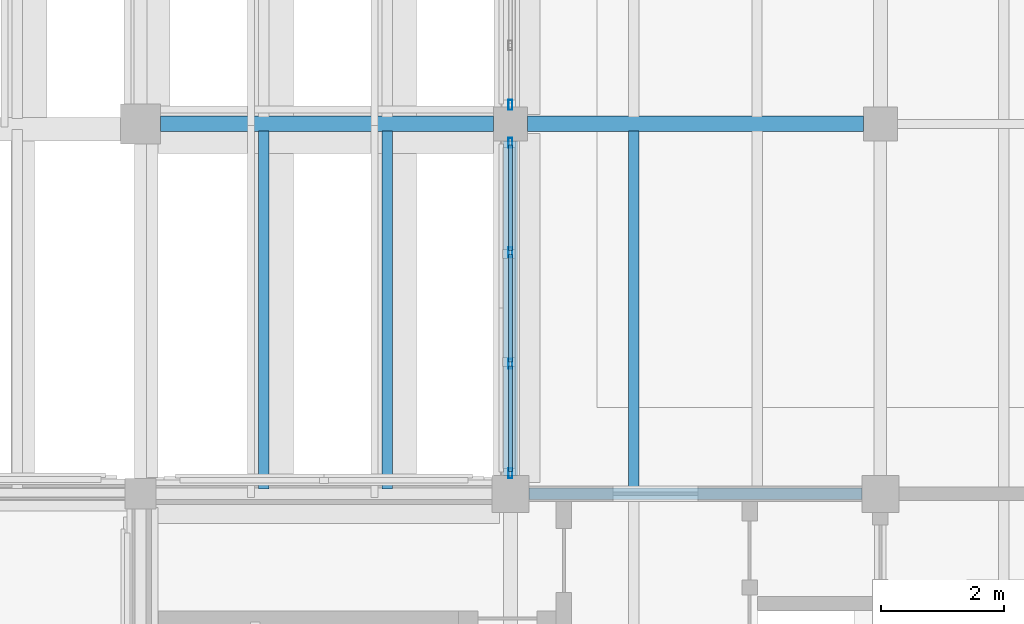
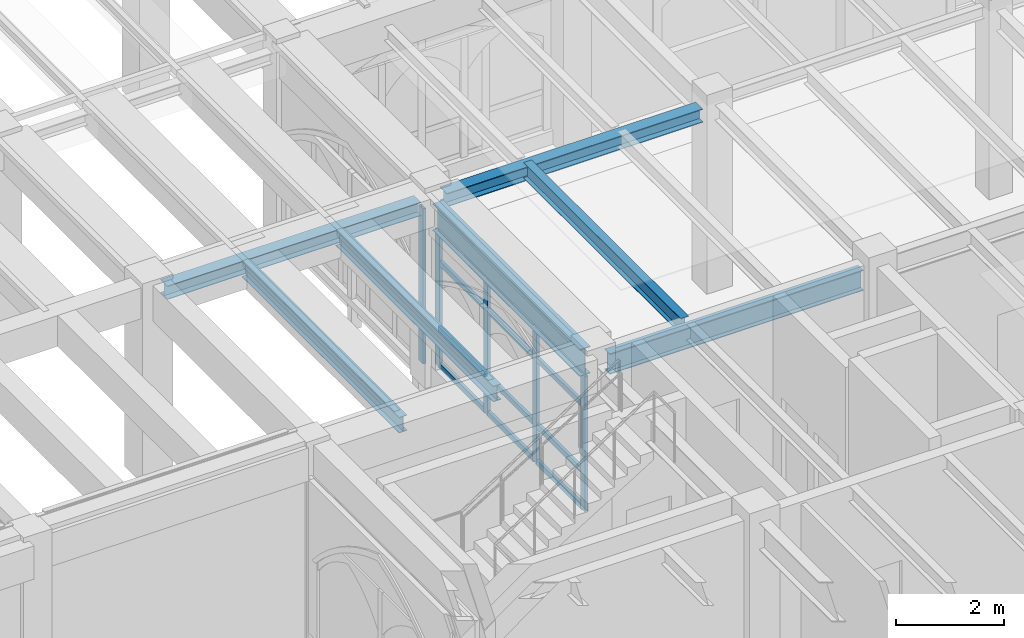
# One storey, part 31 of 127: 17 members, 7 beams, 2 elements without a shape of their own.
"""IFC4 building model written with IfcOpenShell, lengths in metres."""

import ifcopenshell
import ifcopenshell.guid

model = None  # the IFC model being written
_history = None  # IfcOwnerHistory: only IFC2X3 demands one
_inside = {}  # id of a spatial element -> (the spatial element, [elements in it])
_under = {}  # id of a project, library or spatial element -> (it, [spatial elements below it])
_declared = {}  # id of a project -> (the project, [libraries it declares])
_typed = {}  # id of a type object -> (the type object, [elements of that type])
_made_of = {}  # id of a material, layer set ... -> (it, [elements and type objects made of it])


def new_model(schema):
    """Start an empty IFC model of exactly this schema.

    Asked for "IFC4X3", IfcOpenShell would pick the latest addendum, in which some entities
    have other attributes; the version numbers below select the first issue.
    IFC2X3 requires an IfcOwnerHistory on every rooted entity: one is made here for all.
    """
    global model, _history
    if schema == "IFC4X3":
        model = ifcopenshell.file(schema_version=(4, 3, 0, 0))
    else:
        model = ifcopenshell.file(schema=schema)
    _inside.clear()
    _under.clear()
    _declared.clear()
    _typed.clear()
    _made_of.clear()
    _history = None
    if model.schema == "IFC2X3":
        org = make("IfcOrganization", Name="unknown")
        user = make(
            "IfcPersonAndOrganization",
            ThePerson=make("IfcPerson", FamilyName="unknown"),
            TheOrganization=org,
        )
        app = make(
            "IfcApplication",
            ApplicationDeveloper=org,
            Version="unknown",
            ApplicationFullName="unknown",
            ApplicationIdentifier="unknown",
        )
        _history = make(
            "IfcOwnerHistory",
            OwningUser=user,
            OwningApplication=app,
            ChangeAction="ADDED",
            CreationDate=0,
        )
    return model


def make(cls, **values):
    """One entity of the class cls with the attributes given. An attribute that is None is left unset."""
    return model.create_entity(
        cls, **{name: value for name, value in values.items() if value is not None}
    )


def rooted(cls, **values):
    """An entity with a GlobalId (a new one), such as an element, a storey or a relation."""
    return make(cls, GlobalId=ifcopenshell.guid.new(), OwnerHistory=_history, **values)


def si_unit(unit_type, name, prefix=None):
    """IfcSIUnit, for example si_unit("LENGTHUNIT", "METRE", prefix="MILLI")."""
    return make("IfcSIUnit", UnitType=unit_type, Prefix=prefix, Name=name)


def assignment(units):
    """IfcUnitAssignment: the units of a project."""
    return None if units is None else make("IfcUnitAssignment", Units=units)


def point(xyz):
    """IfcCartesianPoint."""
    return None if xyz is None else make("IfcCartesianPoint", Coordinates=xyz)


def direction(xyz):
    """IfcDirection."""
    return None if xyz is None else make("IfcDirection", DirectionRatios=xyz)


def frame(location, z_axis=None, x_axis=None):
    """IfcAxis2Placement3D, a coordinate frame: its origin and axes. An axis left out is left unset."""
    return make(
        "IfcAxis2Placement3D",
        Location=point(location),
        Axis=direction(z_axis),
        RefDirection=direction(x_axis),
    )


def frame_2d(location, x_axis=None):
    """IfcAxis2Placement2D, a coordinate frame in the plane: its origin and x axis."""
    return make(
        "IfcAxis2Placement2D", Location=point(location), RefDirection=direction(x_axis)
    )


def origin():
    """The frame at (0, 0, 0) with its axes left unset."""
    return frame((0.0, 0.0, 0.0))


def origin_2d():
    """The frame at (0, 0) in the plane with its x axis left unset."""
    return frame_2d((0.0, 0.0))


def place(relative_to, where):
    """IfcLocalPlacement: puts the frame where relative to a parent placement (None: the world)."""
    return make(
        "IfcLocalPlacement", PlacementRelTo=relative_to, RelativePlacement=where
    )


def context(
    kind, dimensions, precision=None, world=None, true_north=None, identifier=None
):
    """IfcGeometricRepresentationContext, for example the 3D "Model" context."""
    return make(
        "IfcGeometricRepresentationContext",
        ContextIdentifier=identifier,
        ContextType=kind,
        CoordinateSpaceDimension=dimensions,
        Precision=precision,
        WorldCoordinateSystem=world,
        TrueNorth=true_north,
    )


def subcontext(parent, identifier, kind, view, scale=None):
    """IfcGeometricRepresentationSubContext, for example "Body" below "Model"."""
    return make(
        "IfcGeometricRepresentationSubContext",
        ContextIdentifier=identifier,
        ContextType=kind,
        ParentContext=parent,
        TargetScale=scale,
        TargetView=view,
    )


def project(units=None, contexts=None):
    """IfcProject with its units and contexts."""
    return rooted(
        "IfcProject",
        Name="project",
        RepresentationContexts=contexts,
        UnitsInContext=assignment(units),
    )


def spatial(cls, under=None, at=None, **own):
    """A site, building, storey or space (cls), placed at a placement, below another one or the project."""
    s = rooted(cls, ObjectPlacement=at, **own)
    if under is not None:
        _under.setdefault(under.id(), (under, []))[1].append(s)
    return s


def profile(cls, at=None, kind="AREA", **sizes):
    """A parametric profile (cls). Its sizes go by their IFC names, for example OverallWidth=200.0."""
    return make(cls, ProfileType=kind, Position=at, **sizes)


def hollow_rectangle(**sizes):
    """IfcRectangleHollowProfileDef."""
    return profile("IfcRectangleHollowProfileDef", **sizes)


def i_section(**sizes):
    """IfcIShapeProfileDef."""
    return profile("IfcIShapeProfileDef", **sizes)


def extrude(swept, where, along, depth):
    """IfcExtrudedAreaSolid: the profile swept, set in the frame where, extruded along a direction by depth."""
    return make(
        "IfcExtrudedAreaSolid",
        SweptArea=swept,
        Position=where,
        ExtrudedDirection=direction(along),
        Depth=depth,
    )


def shape(context_of_items, identifier, shape_type, items):
    """IfcShapeRepresentation: the items that make up one representation, for example the "Body"."""
    return make(
        "IfcShapeRepresentation",
        ContextOfItems=context_of_items,
        RepresentationIdentifier=identifier,
        RepresentationType=shape_type,
        Items=items,
    )


def material(Name=None, Category=None):
    """IfcMaterial."""
    return make("IfcMaterial", Name=Name, Category=Category)


def layer(
    of_material, thickness, ventilated=None, Name=None, Category=None, Priority=None
):
    """IfcMaterialLayer: one layer of a wall or slab, of a material (None: an air gap)."""
    return make(
        "IfcMaterialLayer",
        Material=of_material,
        LayerThickness=thickness,
        IsVentilated=ventilated,
        Name=Name,
        Category=Category,
        Priority=Priority,
    )


def layer_set(layers, Name=None):
    """IfcMaterialLayerSet."""
    return make("IfcMaterialLayerSet", MaterialLayers=layers, LayerSetName=Name)


def material_profile(
    of_material, cross_section, Name=None, Category=None, Priority=None
):
    """IfcMaterialProfile: a cross section and its material."""
    return make(
        "IfcMaterialProfile",
        Name=Name,
        Material=of_material,
        Profile=cross_section,
        Priority=Priority,
        Category=Category,
    )


def profile_set(profiles, Name=None, composite=None):
    """IfcMaterialProfileSet."""
    return make(
        "IfcMaterialProfileSet",
        Name=Name,
        MaterialProfiles=profiles,
        CompositeProfile=composite,
    )


def made_of(thing, what):
    """Note that an element or type object is made of a material, layer set ...; save() writes the relation."""
    if what is not None:
        _made_of.setdefault(what.id(), (what, []))[1].append(thing)
    return thing


def type_object(cls, material=None, **own):
    """A type object (cls), such as IfcWallType, which elements share."""
    return made_of(rooted(cls, **own), material)


def element(
    cls,
    number,
    at=None,
    inside=None,
    cuts=None,
    type_object=None,
    material=None,
    context=None,
    identifier="Body",
    shape_type=None,
    held_by="IfcProductDefinitionShape",
    body=None,
    shapes=None,
    **own,
):
    """One element of the class cls, such as IfcWall. Its Tag is "e" and its number.

    at: its placement. inside: the storey or other place that contains it. cuts: it is an
    opening in that element (IfcRelVoidsElement). A single representation is given by context,
    identifier, shape_type and body (its items); several are given by shapes. held_by: the class
    of the entity that holds the representations. save() writes the other relations.
    """
    e = rooted(cls, Tag="e%d" % number, ObjectPlacement=at, **own)
    if body is not None:
        shapes = [shape(context, identifier, shape_type, body)]
    if shapes is not None:
        e.Representation = make(held_by, Representations=shapes)
    if inside is not None:
        _inside.setdefault(inside.id(), (inside, []))[1].append(e)
    if cuts is not None:
        rooted(
            "IfcRelVoidsElement", RelatingBuildingElement=cuts, RelatedOpeningElement=e
        )
    if type_object is not None:
        _typed.setdefault(type_object.id(), (type_object, []))[1].append(e)
    return made_of(e, material)


def aggregate(whole, parts):
    """IfcRelAggregates: a whole, such as a stair, and the parts it consists of."""
    return rooted("IfcRelAggregates", RelatingObject=whole, RelatedObjects=parts)


def save(model, path):
    """Write the relations noted so far, then the file.

    IfcRelAggregates (storeys below a building ...), IfcRelContainedInSpatialStructure (elements
    in a storey), IfcRelDefinesByType, IfcRelAssociatesMaterial and IfcRelDeclares: one each for
    every whole, place, type object, material and project.
    """
    for whole, parts in _under.values():
        aggregate(whole, parts)
    for where, things in _inside.values():
        rooted(
            "IfcRelContainedInSpatialStructure",
            RelatedElements=things,
            RelatingStructure=where,
        )
    for kind, things in _typed.values():
        rooted("IfcRelDefinesByType", RelatedObjects=things, RelatingType=kind)
    for what, things in _made_of.values():
        rooted("IfcRelAssociatesMaterial", RelatedObjects=things, RelatingMaterial=what)
    for by, libraries in _declared.values():
        rooted("IfcRelDeclares", RelatingContext=by, RelatedDefinitions=libraries)
    model.write(path)


model = new_model("IFC4")

# Units and contexts
model_context = context("Model", 3, precision=1e-05, world=origin(), true_north=direction((0.0, 1.0)))
body_context = subcontext(model_context, "Body", "Model", "MODEL_VIEW")
ifc_project = project(units=[si_unit("LENGTHUNIT", "METRE"), si_unit("AREAUNIT", "SQUARE_METRE"), si_unit("VOLUMEUNIT", "CUBIC_METRE"), si_unit("PLANEANGLEUNIT", "RADIAN"), si_unit("MASSUNIT", "GRAM", prefix="KILO")], contexts=[model_context])

# Site, building, storey
site_placement = place(None, origin())
site = spatial("IfcSite", under=ifc_project, at=site_placement, CompositionType="ELEMENT")
building_placement = place(site_placement, origin())
building = spatial("IfcBuilding", under=site, at=building_placement, Name="Cumevento Cable Car Station", CompositionType="ELEMENT")
storey_placement = place(building_placement, frame((0.0, 0.0, 4.5)))
storey = spatial("IfcBuildingStorey", under=building, at=storey_placement, Name="L02", CompositionType="ELEMENT", Elevation=4.5)

# Curtain wall, members
ifc_material_1 = material(Name="Anodised Bronze Aluminium AW-6063-T6", Category="aluminium")
ifc_layer_1 = layer(ifc_material_1, 0.243896484375)
ifc_layer_set_1 = layer_set([ifc_layer_1], Name="Anodised Bronze Aluminium AW-6063-T6")
curtain_wall_type_1 = type_object("IfcCurtainWallType", Name="Lancet Curtain Wall CW-15 1610", PredefinedType="NOTDEFINED", material=ifc_layer_set_1)
curtain_wall_1_placement = place(storey_placement, origin())
curtain_wall_1 = element("IfcCurtainWall", 1, at=curtain_wall_1_placement, inside=storey, type_object=curtain_wall_type_1, Name="Lancet Curtain Wall CW-15 L02 #62", PredefinedType="NOTDEFINED")
ifc_material_2 = material(Name="Anodised Bronze Aluminium AW-6063-T6", Category="aluminium")
ifc_material_profile_1 = material_profile(ifc_material_2, hollow_rectangle(XDim=0.06494140625, YDim=0.159912109375, WallThickness=0.00390625, at=origin_2d()), Name="ALUM65x160x4")
ifc_profile_set_1 = profile_set([ifc_material_profile_1], Name="Anodised Bronze Aluminium AW-6063-T6")
member_type_1 = type_object("IfcMemberType", Name="Curtain Mullion CWM-01 ALUM65x160x4", PredefinedType="MULLION", material=ifc_profile_set_1)
member_1_placement = place(storey_placement, frame((64.0, 45.33251953125, 0.4599609375), z_axis=(0.0, 0.0, 1.0), x_axis=(-1.0, 0.0, 0.0)))
member_1 = element("IfcMember", 2, at=member_1_placement, type_object=member_type_1, Name="CW-15 mullion 1", PredefinedType="MULLION", context=body_context, shape_type="SweptSolid", body=[
    extrude(hollow_rectangle(XDim=0.06494140625, YDim=0.159912109375, WallThickness=0.00390625, at=origin_2d()), origin(), (0.0, 0.0, 1.0), 3.0419921875),
])
member_2_placement = place(storey_placement, frame((64.0, 47.1083984375, 0.4599609375), z_axis=(0.0, 0.0, 1.0), x_axis=(-1.0, 0.0, 0.0)))
member_2 = element("IfcMember", 3, at=member_2_placement, type_object=member_type_1, Name="CW-15 mullion 2", PredefinedType="MULLION", context=body_context, shape_type="SweptSolid", body=[
    extrude(hollow_rectangle(XDim=0.06494140625, YDim=0.159912109375, WallThickness=0.00390625, at=origin_2d()), origin(), (0.0, 0.0, 1.0), 3.0419921875),
])
member_3_placement = place(storey_placement, frame((64.0, 48.916748046875, 0.4599609375), z_axis=(0.0, 0.0, 1.0), x_axis=(-1.0, 0.0, 0.0)))
member_3 = element("IfcMember", 4, at=member_3_placement, type_object=member_type_1, Name="CW-15 mullion 3", PredefinedType="MULLION", context=body_context, shape_type="SweptSolid", body=[
    extrude(hollow_rectangle(XDim=0.06494140625, YDim=0.159912109375, WallThickness=0.00390625, at=origin_2d()), origin(), (0.0, 0.0, 1.0), 3.0419921875),
])
member_4_placement = place(storey_placement, frame((64.0, 50.6923828125, 0.4599609375), z_axis=(0.0, 0.0, 1.0), x_axis=(-1.0, 0.0, 0.0)))
member_4 = element("IfcMember", 5, at=member_4_placement, type_object=member_type_1, Name="CW-15 mullion 4", PredefinedType="MULLION", context=body_context, shape_type="SweptSolid", body=[
    extrude(hollow_rectangle(XDim=0.06494140625, YDim=0.159912109375, WallThickness=0.00390625, at=origin_2d()), origin(), (0.0, 0.0, 1.0), 3.0419921875),
])

# Curtain wall, member
ifc_material_3 = material(Name="Anodised Bronze Aluminium AW-6063-T6", Category="aluminium")
ifc_layer_2 = layer(ifc_material_3, 0.159912109375)
ifc_layer_set_2 = layer_set([ifc_layer_2], Name="Anodised Bronze Aluminium AW-6063-T6")
curtain_wall_type_2 = type_object("IfcCurtainWallType", Name="Lancet Curtain Wall CW-01 1050", PredefinedType="NOTDEFINED", material=ifc_layer_set_2)
curtain_wall_2_placement = place(storey_placement, origin())
curtain_wall_2 = element("IfcCurtainWall", 6, at=curtain_wall_2_placement, inside=storey, type_object=curtain_wall_type_2, Name="Lancet Curtain Wall CW-01 L02 #64", PredefinedType="NOTDEFINED")
member_5_placement = place(storey_placement, frame((64.0, 51.3076171875, 0.159912109375), z_axis=(0.0, 0.0, 1.0), x_axis=(-1.0, 0.0, 0.0)))
member_5 = element("IfcMember", 7, at=member_5_placement, type_object=member_type_1, Name="CW-01 mullion 1", PredefinedType="MULLION", context=body_context, shape_type="SweptSolid", body=[
    extrude(hollow_rectangle(XDim=0.06494140625, YDim=0.159912109375, WallThickness=0.00390625, at=origin_2d()), origin(), (0.0, 0.0, 1.0), 3.4931640625),
])
aggregate(curtain_wall_2, [member_5])

# Member
ifc_material_4 = material(Name="Anodised Bronze Aluminium AW-6063-T6", Category="aluminium")
ifc_material_profile_2 = material_profile(ifc_material_4, hollow_rectangle(XDim=0.06494140625, YDim=0.1201171875, WallThickness=0.00390625, at=origin_2d()), Name="ALUT65x120x4")
ifc_profile_set_2 = profile_set([ifc_material_profile_2], Name="Anodised Bronze Aluminium AW-6063-T6")
member_type_2 = type_object("IfcMemberType", Name="Curtain Transom CWT-01 ALUT65x120x4", PredefinedType="USERDEFINED", material=ifc_profile_set_2)
member_6_placement = place(storey_placement, frame((64.0, 45.364990234375, 0.492431640625), z_axis=(0.0, 1.0, 0.0), x_axis=(-1.0, 0.0, 0.0)))
member_6 = element("IfcMember", 8, at=member_6_placement, type_object=member_type_2, Name="CW-15 transom 1.1", ObjectType="TRANSOM", PredefinedType="USERDEFINED", context=body_context, shape_type="SweptSolid", body=[
    extrude(hollow_rectangle(XDim=0.06494140625, YDim=0.1201171875, WallThickness=0.00390625, at=origin_2d()), origin(), (0.0, 0.0, 1.0), 1.7109375),
])

member_7_placement = place(storey_placement, frame((64.0, 45.364990234375, 1.31005859375), z_axis=(0.0, 1.0, 0.0), x_axis=(-1.0, 0.0, 0.0)))
member_7 = element("IfcMember", 9, at=member_7_placement, type_object=member_type_2, Name="CW-15 transom 1.2", ObjectType="TRANSOM", PredefinedType="USERDEFINED", context=body_context, shape_type="SweptSolid", body=[
    extrude(hollow_rectangle(XDim=0.06494140625, YDim=0.1201171875, WallThickness=0.00390625, at=origin_2d()), origin(), (0.0, 0.0, 1.0), 1.7109375),
])

member_8_placement = place(storey_placement, frame((64.0, 45.364990234375, 2.802001953125), z_axis=(0.0, 1.0, 0.0), x_axis=(-1.0, 0.0, 0.0)))
member_8 = element("IfcMember", 10, at=member_8_placement, type_object=member_type_2, Name="CW-15 transom 1.3", ObjectType="TRANSOM", PredefinedType="USERDEFINED", context=body_context, shape_type="SweptSolid", body=[
    extrude(hollow_rectangle(XDim=0.06494140625, YDim=0.1201171875, WallThickness=0.00390625, at=origin_2d()), origin(), (0.0, 0.0, 1.0), 1.7109375),
])

member_9_placement = place(storey_placement, frame((64.0, 45.364990234375, 3.469482421875), z_axis=(0.0, 1.0, 0.0), x_axis=(-1.0, 0.0, 0.0)))
member_9 = element("IfcMember", 11, at=member_9_placement, type_object=member_type_2, Name="CW-15 transom 1.4", ObjectType="TRANSOM", PredefinedType="USERDEFINED", context=body_context, shape_type="SweptSolid", body=[
    extrude(hollow_rectangle(XDim=0.06494140625, YDim=0.1201171875, WallThickness=0.00390625, at=origin_2d()), origin(), (0.0, 0.0, 1.0), 1.7109375),
])

member_10_placement = place(storey_placement, frame((64.0, 47.140869140625, 0.492431640625), z_axis=(0.0, 1.0, 0.0), x_axis=(-1.0, 0.0, 0.0)))
member_10 = element("IfcMember", 12, at=member_10_placement, type_object=member_type_2, Name="CW-15 transom 2.1", ObjectType="TRANSOM", PredefinedType="USERDEFINED", context=body_context, shape_type="SweptSolid", body=[
    extrude(hollow_rectangle(XDim=0.06494140625, YDim=0.1201171875, WallThickness=0.00390625, at=origin_2d()), origin(), (0.0, 0.0, 1.0), 1.743408203125),
])

member_11_placement = place(storey_placement, frame((64.0, 47.140869140625, 1.31005859375), z_axis=(0.0, 1.0, 0.0), x_axis=(-1.0, 0.0, 0.0)))
member_11 = element("IfcMember", 13, at=member_11_placement, type_object=member_type_2, Name="CW-15 transom 2.2", ObjectType="TRANSOM", PredefinedType="USERDEFINED", context=body_context, shape_type="SweptSolid", body=[
    extrude(hollow_rectangle(XDim=0.06494140625, YDim=0.1201171875, WallThickness=0.00390625, at=origin_2d()), origin(), (0.0, 0.0, 1.0), 1.743408203125),
])

member_12_placement = place(storey_placement, frame((64.0, 47.140869140625, 2.802001953125), z_axis=(0.0, 1.0, 0.0), x_axis=(-1.0, 0.0, 0.0)))
member_12 = element("IfcMember", 14, at=member_12_placement, type_object=member_type_2, Name="CW-15 transom 2.3", ObjectType="TRANSOM", PredefinedType="USERDEFINED", context=body_context, shape_type="SweptSolid", body=[
    extrude(hollow_rectangle(XDim=0.06494140625, YDim=0.1201171875, WallThickness=0.00390625, at=origin_2d()), origin(), (0.0, 0.0, 1.0), 1.743408203125),
])

member_13_placement = place(storey_placement, frame((64.0, 47.140869140625, 3.469482421875), z_axis=(0.0, 1.0, 0.0), x_axis=(-1.0, 0.0, 0.0)))
member_13 = element("IfcMember", 15, at=member_13_placement, type_object=member_type_2, Name="CW-15 transom 2.4", ObjectType="TRANSOM", PredefinedType="USERDEFINED", context=body_context, shape_type="SweptSolid", body=[
    extrude(hollow_rectangle(XDim=0.06494140625, YDim=0.1201171875, WallThickness=0.00390625, at=origin_2d()), origin(), (0.0, 0.0, 1.0), 1.743408203125),
])

member_14_placement = place(storey_placement, frame((64.0, 48.94921875, 0.492431640625), z_axis=(0.0, 1.0, 0.0), x_axis=(-1.0, 0.0, 0.0)))
member_14 = element("IfcMember", 16, at=member_14_placement, type_object=member_type_2, Name="CW-15 transom 3.1", ObjectType="TRANSOM", PredefinedType="USERDEFINED", context=body_context, shape_type="SweptSolid", body=[
    extrude(hollow_rectangle(XDim=0.06494140625, YDim=0.1201171875, WallThickness=0.00390625, at=origin_2d()), origin(), (0.0, 0.0, 1.0), 1.710693359375),
])

member_15_placement = place(storey_placement, frame((64.0, 48.94921875, 1.31005859375), z_axis=(0.0, 1.0, 0.0), x_axis=(-1.0, 0.0, 0.0)))
member_15 = element("IfcMember", 17, at=member_15_placement, type_object=member_type_2, Name="CW-15 transom 3.2", ObjectType="TRANSOM", PredefinedType="USERDEFINED", context=body_context, shape_type="SweptSolid", body=[
    extrude(hollow_rectangle(XDim=0.06494140625, YDim=0.1201171875, WallThickness=0.00390625, at=origin_2d()), origin(), (0.0, 0.0, 1.0), 1.710693359375),
])

member_16_placement = place(storey_placement, frame((64.0, 48.94921875, 2.802001953125), z_axis=(0.0, 1.0, 0.0), x_axis=(-1.0, 0.0, 0.0)))
member_16 = element("IfcMember", 18, at=member_16_placement, type_object=member_type_2, Name="CW-15 transom 3.3", ObjectType="TRANSOM", PredefinedType="USERDEFINED", context=body_context, shape_type="SweptSolid", body=[
    extrude(hollow_rectangle(XDim=0.06494140625, YDim=0.1201171875, WallThickness=0.00390625, at=origin_2d()), origin(), (0.0, 0.0, 1.0), 1.710693359375),
])

member_17_placement = place(storey_placement, frame((64.0, 48.94921875, 3.469482421875), z_axis=(0.0, 1.0, 0.0), x_axis=(-1.0, 0.0, 0.0)))
member_17 = element("IfcMember", 19, at=member_17_placement, type_object=member_type_2, Name="CW-15 transom 3.4", ObjectType="TRANSOM", PredefinedType="USERDEFINED", context=body_context, shape_type="SweptSolid", body=[
    extrude(hollow_rectangle(XDim=0.06494140625, YDim=0.1201171875, WallThickness=0.00390625, at=origin_2d()), origin(), (0.0, 0.0, 1.0), 1.710693359375),
])

aggregate(curtain_wall_1, [member_1, member_2, member_3, member_4, member_6, member_7, member_8, member_9, member_10, member_11, member_12, member_13, member_14, member_15, member_16, member_17])

# Beams
ifc_material_5 = material(Name="Steel ASTM A572 Grade 50", Category="steel")
ifc_material_profile_3 = material_profile(ifc_material_5, i_section(OverallWidth=0.22802734375, OverallDepth=0.60791015625, WebThickness=0.01123046875, FlangeThickness=0.017333984375, at=origin_2d()), Name="W610x113.0")
ifc_profile_set_3 = profile_set([ifc_material_profile_3], Name="Steel ASTM A572 Grade 50")
beam_type_1 = type_object("IfcBeamType", Name="Structural Beam BM-02 W610x113.0", PredefinedType="BEAM", material=ifc_profile_set_3)
beam_1_placement = place(storey_placement, frame((64.0, 45.300048828125, 3.805908203125), z_axis=(0.0, 1.0, 0.0), x_axis=(-1.0, 0.0, 0.0)))
element("IfcBeam", 20, at=beam_1_placement, inside=storey, type_object=beam_type_1, Name="Beam BM-02 L02 #592", PredefinedType="BEAM", context=body_context, shape_type="SweptSolid", body=[
    extrude(i_section(OverallWidth=0.22802734375, OverallDepth=0.60791015625, WebThickness=0.01123046875, FlangeThickness=0.017333984375, at=origin_2d()), origin(), (0.0, 0.0, 1.0), 5.425048828125),
])
ifc_material_6 = material(Name="Steel ASTM A572 Grade 50", Category="steel")
ifc_material_profile_4 = material_profile(ifc_material_6, i_section(OverallWidth=0.25390625, OverallDepth=0.305908203125, WebThickness=0.0087890625, FlangeThickness=0.0146484375, at=origin_2d()), Name="W310x79.0")
ifc_profile_set_4 = profile_set([ifc_material_profile_4], Name="Steel ASTM A572 Grade 50")
beam_type_2 = type_object("IfcBeamType", Name="Structural Beam BM-06 W310x79.0", PredefinedType="BEAM", material=ifc_profile_set_4)
beam_2_placement = place(storey_placement, frame((58.324951171875, 51.0, 3.95703125), z_axis=(1.0, 0.0, 0.0), x_axis=(0.0, 1.0, 0.0)))
element("IfcBeam", 21, at=beam_2_placement, inside=storey, type_object=beam_type_2, Name="Beam BM-06 L02 #587", PredefinedType="BEAM", context=body_context, shape_type="SweptSolid", body=[
    extrude(i_section(OverallWidth=0.25390625, OverallDepth=0.305908203125, WebThickness=0.0087890625, FlangeThickness=0.0146484375, at=origin_2d()), origin(), (0.0, 0.0, 1.0), 5.400146484375),
])
beam_3_placement = place(storey_placement, frame((64.27490234375, 51.0, 3.95703125), z_axis=(1.0, 0.0, 0.0), x_axis=(0.0, 1.0, 0.0)))
element("IfcBeam", 22, at=beam_3_placement, inside=storey, type_object=beam_type_2, Name="Beam BM-06 L02 #595", PredefinedType="BEAM", context=body_context, shape_type="SweptSolid", body=[
    extrude(i_section(OverallWidth=0.25390625, OverallDepth=0.305908203125, WebThickness=0.0087890625, FlangeThickness=0.0146484375, at=origin_2d()), origin(), (0.0, 0.0, 1.0), 5.4501953125),
])
ifc_material_7 = material(Name="Steel ASTM A572 Grade 50", Category="steel")
ifc_material_profile_5 = material_profile(ifc_material_7, i_section(OverallWidth=0.19189453125, OverallDepth=0.462890625, WebThickness=0.010498046875, FlangeThickness=0.017578125, at=origin_2d()), Name="W460x89.0")
ifc_profile_set_5 = profile_set([ifc_material_profile_5], Name="Steel ASTM A572 Grade 50")
beam_type_3 = type_object("IfcBeamType", Name="Structural Beam BM-10 W460x89.0", PredefinedType="BEAM", material=ifc_profile_set_5)
beam_4_placement = place(storey_placement, frame((64.300048828125, 45.0, 3.87841796875), z_axis=(1.0, 0.0, 0.0), x_axis=(0.0, 1.0, 0.0)))
element("IfcBeam", 23, at=beam_4_placement, inside=storey, type_object=beam_type_3, Name="Beam BM-10 L02 #503", PredefinedType="BEAM", context=body_context, shape_type="SweptSolid", body=[
    extrude(i_section(OverallWidth=0.19189453125, OverallDepth=0.462890625, WebThickness=0.010498046875, FlangeThickness=0.017578125, at=origin_2d()), origin(), (0.0, 0.0, 1.0), 5.39990234375),
])
ifc_material_8 = material(Name="Steel ASTM A572 Grade 50", Category="steel")
ifc_material_profile_6 = material_profile(ifc_material_8, i_section(OverallWidth=0.1708984375, OverallDepth=0.35498046875, WebThickness=0.007080078125, FlangeThickness=0.01171875, at=origin_2d()), Name="W360x51.0")
ifc_profile_set_6 = profile_set([ifc_material_profile_6], Name="Steel ASTM A572 Grade 50")
beam_type_4 = type_object("IfcBeamType", Name="Structural Joist JS-01 W360x51.0", PredefinedType="JOIST", material=ifc_profile_set_6)
for number, where, z_axis, x_axis, name in (
    (24, (60.0, 45.077880859375, 3.9326171875), (0.0, 1.0, 0.0), (-1.0, 0.0, 0.0), "Composite Floor Joist JS-01 L02 #814"),
    (25, (62.0, 45.077880859375, 3.9326171875), (0.0, 1.0, 0.0), (-1.0, 0.0, 0.0), "Composite Floor Joist JS-01 L02 #816"),
):
    element("IfcBeam", number, at=place(storey_placement, frame(where, z_axis=z_axis, x_axis=x_axis)), inside=storey, type_object=beam_type_4, Name=name, PredefinedType="JOIST", context=body_context, shape_type="SweptSolid", body=[
        extrude(i_section(OverallWidth=0.1708984375, OverallDepth=0.35498046875, WebThickness=0.007080078125, FlangeThickness=0.01171875, at=origin_2d()), origin(), (0.0, 0.0, 1.0), 5.80712890625),
    ])
beam_5_placement = place(storey_placement, frame((66.0, 45.083984375, 4.050537109375), z_axis=(0.0, 1.0, 0.0), x_axis=(-1.0, 0.0, 0.0)))
element("IfcBeam", 26, at=beam_5_placement, inside=storey, type_object=beam_type_4, Name="Composite Floor Joist JS-01 L02 #818", PredefinedType="JOIST", context=body_context, shape_type="SweptSolid", body=[
    extrude(i_section(OverallWidth=0.1708984375, OverallDepth=0.35498046875, WebThickness=0.007080078125, FlangeThickness=0.01171875, at=origin_2d()), origin(), (0.0, 0.0, 1.0), 5.801025390625),
])

save(model, "model.ifc")
